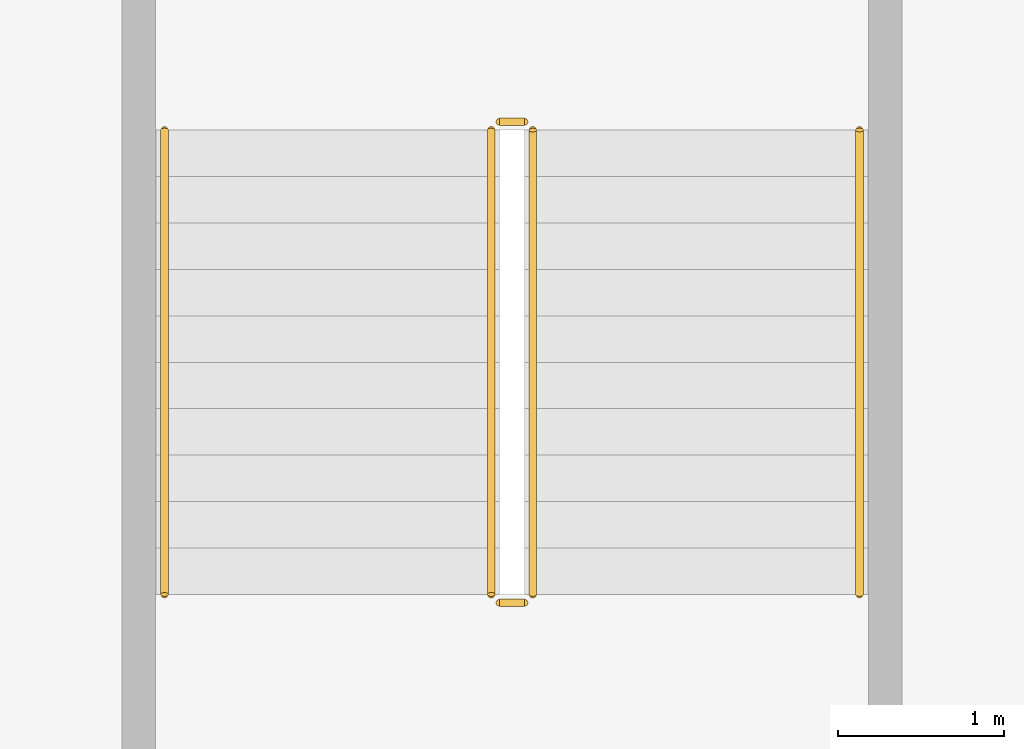
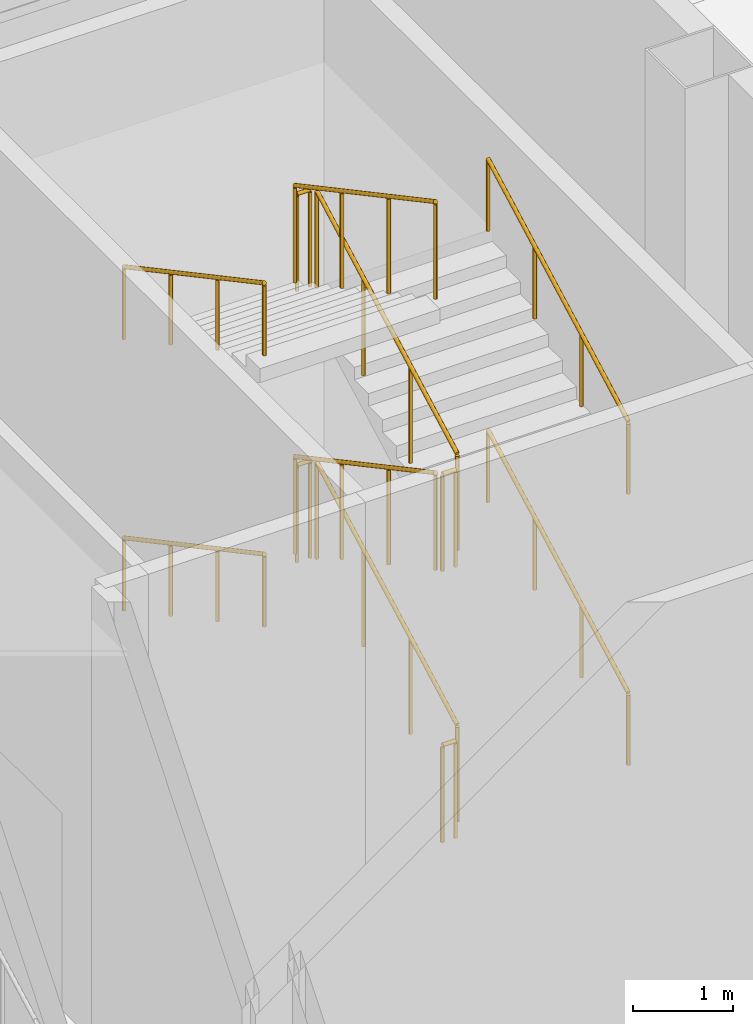
# One storey, part 37 of 38: 12 railings.
"""IFC4 building model written with IfcOpenShell, lengths in metres."""

from ifc_helpers import new_model, si_unit, direction, frame, origin, origin_2d, place, context, subcontext, project, spatial, circle, extrude, material, type_object, element, save


model = new_model("IFC4")

# Units and contexts
model_context = context("Model", 3, precision=1e-05, world=origin(), true_north=direction((0.0, 1.0)))
body_context = subcontext(model_context, "Body", "Model", "MODEL_VIEW")
ifc_project = project(units=[si_unit("LENGTHUNIT", "METRE"), si_unit("AREAUNIT", "SQUARE_METRE"), si_unit("VOLUMEUNIT", "CUBIC_METRE"), si_unit("PLANEANGLEUNIT", "RADIAN"), si_unit("MASSUNIT", "GRAM", prefix="KILO")], contexts=[model_context])

# Site, building, storey
site_placement = place(None, origin())
site = spatial("IfcSite", under=ifc_project, at=site_placement, CompositionType="ELEMENT")
building_placement = place(site_placement, origin())
building = spatial("IfcBuilding", under=site, at=building_placement, Name="Caravel Reach Hotel and Residences", CompositionType="ELEMENT")
storey_placement = place(building_placement, origin())
storey = spatial("IfcBuildingStorey", under=building, at=storey_placement, Name="L00", CompositionType="ELEMENT", Elevation=0.0)

# Railings
ifc_material_1 = material(Name="Steel balustrade with glass infill", Category="steel")
railing_type_1 = type_object("IfcRailingType", Name="Guard 1200", PredefinedType="GUARDRAIL", material=ifc_material_1)
railing_1_placement = place(storey_placement, frame((63.375, 42.68994140625, 0.14990234375)))
element("IfcRailing", 1, at=railing_1_placement, inside=storey, type_object=railing_type_1, Name="L00 ST-P6 stair guard 1", PredefinedType="GUARDRAIL", context=body_context, shape_type="SweptSolid", body=[
    extrude(circle(Radius=0.02392578125, at=origin_2d()), frame((0.0, 0.0, 1.17578125), z_axis=(0.0, 0.881483397762, 0.472215014025), x_axis=(-1.0, 0.0, 0.0)), (0.0, 0.0, 1.0), 3.176513671875),
    extrude(circle(Radius=0.02099609375, at=origin_2d()), origin(), (0.0, 0.0, 1.0), 1.15185546875),
    extrude(circle(Radius=0.02099609375, at=origin_2d()), frame((0.0, 0.933349609375, 0.5)), (0.0, 0.0, 1.0), 1.15185546875),
    extrude(circle(Radius=0.02099609375, at=origin_2d()), frame((0.0, 1.86669921875, 1.0)), (0.0, 0.0, 1.0), 1.15185546875),
    extrude(circle(Radius=0.02099609375, at=origin_2d()), frame((0.0, 2.800048828125, 1.5)), (0.0, 0.0, 1.0), 1.15185546875),
])
railing_2_placement = place(storey_placement, frame((63.324951171875, 45.5400390625, 1.64990234375)))
element("IfcRailing", 2, at=railing_2_placement, inside=storey, type_object=railing_type_1, Name="L00 ST-P6 stair guard 2", PredefinedType="GUARDRAIL", context=body_context, shape_type="SweptSolid", body=[
    extrude(circle(Radius=0.02392578125, at=origin_2d()), frame((0.0, 0.0, 1.17578125), z_axis=(-1.0, 0.0, 0.0), x_axis=(0.0, -1.0, 0.0)), (0.0, 0.0, 1.0), 0.14990234375),
    extrude(circle(Radius=0.02099609375, at=origin_2d()), origin(), (0.0, 0.0, 1.0), 1.15185546875),
    extrude(circle(Radius=0.02099609375, at=origin_2d()), frame((-0.14990234375, 0.0, 0.0)), (0.0, 0.0, 1.0), 1.15185546875),
])
railing_3_placement = place(storey_placement, frame((63.125, 45.489990234375, 1.800048828125)))
element("IfcRailing", 3, at=railing_3_placement, inside=storey, type_object=railing_type_1, Name="L00 ST-P6 stair guard 3", PredefinedType="GUARDRAIL", context=body_context, shape_type="SweptSolid", body=[
    extrude(circle(Radius=0.02392578125, at=origin_2d()), frame((0.0, 0.0, 1.17578125), z_axis=(0.0, -0.881483397762, 0.472215014025), x_axis=(1.0, 0.0, 0.0)), (0.0, 0.0, 1.0), 3.176513671875),
    extrude(circle(Radius=0.02099609375, at=origin_2d()), origin(), (0.0, 0.0, 1.0), 1.15185546875),
    extrude(circle(Radius=0.02099609375, at=origin_2d()), frame((0.0, -0.933349609375, 0.5)), (0.0, 0.0, 1.0), 1.15185546875),
    extrude(circle(Radius=0.02099609375, at=origin_2d()), frame((0.0, -1.86669921875, 1.0)), (0.0, 0.0, 1.0), 1.15185546875),
    extrude(circle(Radius=0.02099609375, at=origin_2d()), frame((0.0, -2.800048828125, 1.5)), (0.0, 0.0, 1.0), 1.15185546875),
])
railing_4_placement = place(storey_placement, frame((63.324951171875, 42.639892578125, 3.300048828125)))
element("IfcRailing", 4, at=railing_4_placement, inside=storey, type_object=railing_type_1, Name="L00 ST-P6 stair guard 4", PredefinedType="GUARDRAIL", context=body_context, shape_type="SweptSolid", body=[
    extrude(circle(Radius=0.02392578125, at=origin_2d()), frame((0.0, 0.0, 1.17578125), z_axis=(-1.0, 0.0, 0.0), x_axis=(0.0, -1.0, 0.0)), (0.0, 0.0, 1.0), 0.14990234375),
    extrude(circle(Radius=0.02099609375, at=origin_2d()), origin(), (0.0, 0.0, 1.0), 1.15185546875),
    extrude(circle(Radius=0.02099609375, at=origin_2d()), frame((-0.14990234375, 0.0, 0.0)), (0.0, 0.0, 1.0), 1.15185546875),
])
railing_5_placement = place(storey_placement, frame((63.375, 42.68994140625, 3.449951171875)))
element("IfcRailing", 5, at=railing_5_placement, inside=storey, type_object=railing_type_1, Name="L00 ST-P6 stair guard 5", PredefinedType="GUARDRAIL", context=body_context, shape_type="SweptSolid", body=[
    extrude(circle(Radius=0.02392578125, at=origin_2d()), frame((0.0, 0.0, 1.17578125), z_axis=(0.0, 0.881483397762, 0.472215014025), x_axis=(-1.0, 0.0, 0.0)), (0.0, 0.0, 1.0), 3.176513671875),
    extrude(circle(Radius=0.02099609375, at=origin_2d()), origin(), (0.0, 0.0, 1.0), 1.15185546875),
    extrude(circle(Radius=0.02099609375, at=origin_2d()), frame((0.0, 0.933349609375, 0.5)), (0.0, 0.0, 1.0), 1.15185546875),
    extrude(circle(Radius=0.02099609375, at=origin_2d()), frame((0.0, 1.86669921875, 1.0)), (0.0, 0.0, 1.0), 1.15185546875),
    extrude(circle(Radius=0.02099609375, at=origin_2d()), frame((0.0, 2.800048828125, 1.5)), (0.0, 0.0, 1.0), 1.15185546875),
])
railing_6_placement = place(storey_placement, frame((63.324951171875, 45.5400390625, 4.949951171875)))
element("IfcRailing", 6, at=railing_6_placement, inside=storey, type_object=railing_type_1, Name="L00 ST-P6 stair guard 6", PredefinedType="GUARDRAIL", context=body_context, shape_type="SweptSolid", body=[
    extrude(circle(Radius=0.02392578125, at=origin_2d()), frame((0.0, 0.0, 1.17578125), z_axis=(-1.0, 0.0, 0.0), x_axis=(0.0, -1.0, 0.0)), (0.0, 0.0, 1.0), 0.14990234375),
    extrude(circle(Radius=0.02099609375, at=origin_2d()), origin(), (0.0, 0.0, 1.0), 1.15185546875),
    extrude(circle(Radius=0.02099609375, at=origin_2d()), frame((-0.14990234375, 0.0, 0.0)), (0.0, 0.0, 1.0), 1.15185546875),
])
railing_7_placement = place(storey_placement, frame((63.125, 45.489990234375, 5.10009765625)))
element("IfcRailing", 7, at=railing_7_placement, inside=storey, type_object=railing_type_1, Name="L00 ST-P6 stair guard 7", PredefinedType="GUARDRAIL", context=body_context, shape_type="SweptSolid", body=[
    extrude(circle(Radius=0.02392578125, at=origin_2d()), frame((0.0, 0.0, 1.17578125), z_axis=(0.0, -0.881483397762, 0.472215014025), x_axis=(1.0, 0.0, 0.0)), (0.0, 0.0, 1.0), 3.176513671875),
    extrude(circle(Radius=0.02099609375, at=origin_2d()), origin(), (0.0, 0.0, 1.0), 1.15185546875),
    extrude(circle(Radius=0.02099609375, at=origin_2d()), frame((0.0, -0.933349609375, 0.5)), (0.0, 0.0, 1.0), 1.15185546875),
    extrude(circle(Radius=0.02099609375, at=origin_2d()), frame((0.0, -1.86669921875, 1.0)), (0.0, 0.0, 1.0), 1.15185546875),
    extrude(circle(Radius=0.02099609375, at=origin_2d()), frame((0.0, -2.800048828125, 1.5)), (0.0, 0.0, 1.0), 1.15185546875),
])
railing_8_placement = place(storey_placement, frame((63.324951171875, 42.639892578125, 0.0)))
element("IfcRailing", 8, at=railing_8_placement, inside=storey, type_object=railing_type_1, Name="L00 ST-P6 stair guard 8", PredefinedType="GUARDRAIL", context=body_context, shape_type="SweptSolid", body=[
    extrude(circle(Radius=0.02392578125, at=origin_2d()), frame((0.0, 0.0, 1.17578125), z_axis=(-1.0, 0.0, 0.0), x_axis=(0.0, -1.0, 0.0)), (0.0, 0.0, 1.0), 0.14990234375),
    extrude(circle(Radius=0.02099609375, at=origin_2d()), origin(), (0.0, 0.0, 1.0), 1.15185546875),
    extrude(circle(Radius=0.02099609375, at=origin_2d()), frame((-0.14990234375, 0.0, 0.0)), (0.0, 0.0, 1.0), 1.15185546875),
])
ifc_material_2 = material(Name="Stainless steel handrail", Category="steel")
railing_type_2 = type_object("IfcRailingType", Name="Handrail 900", PredefinedType="HANDRAIL", material=ifc_material_2)
railing_9_placement = place(storey_placement, frame((65.344970703125, 42.68994140625, 0.14990234375)))
element("IfcRailing", 9, at=railing_9_placement, inside=storey, type_object=railing_type_2, Name="L00 ST-P6 stair handrail 1", PredefinedType="HANDRAIL", context=body_context, shape_type="SweptSolid", body=[
    extrude(circle(Radius=0.02392578125, at=origin_2d()), frame((0.0, 0.0, 0.8759765625), z_axis=(0.0, 0.881483397762, 0.472215014025), x_axis=(-1.0, 0.0, 0.0)), (0.0, 0.0, 1.0), 3.176513671875),
    extrude(circle(Radius=0.02099609375, at=origin_2d()), origin(), (0.0, 0.0, 1.0), 0.851806640625),
    extrude(circle(Radius=0.02099609375, at=origin_2d()), frame((0.0, 0.933349609375, 0.5)), (0.0, 0.0, 1.0), 0.851806640625),
    extrude(circle(Radius=0.02099609375, at=origin_2d()), frame((0.0, 1.86669921875, 1.0)), (0.0, 0.0, 1.0), 0.851806640625),
    extrude(circle(Radius=0.02099609375, at=origin_2d()), frame((0.0, 2.800048828125, 1.5)), (0.0, 0.0, 1.0), 0.851806640625),
])
railing_10_placement = place(storey_placement, frame((61.155029296875, 45.489990234375, 1.800048828125)))
element("IfcRailing", 10, at=railing_10_placement, inside=storey, type_object=railing_type_2, Name="L00 ST-P6 stair handrail 2", PredefinedType="HANDRAIL", context=body_context, shape_type="SweptSolid", body=[
    extrude(circle(Radius=0.02392578125, at=origin_2d()), frame((0.0, 0.0, 0.8759765625), z_axis=(0.0, -0.881483397762, 0.472215014025), x_axis=(1.0, 0.0, 0.0)), (0.0, 0.0, 1.0), 3.176513671875),
    extrude(circle(Radius=0.02099609375, at=origin_2d()), origin(), (0.0, 0.0, 1.0), 0.851806640625),
    extrude(circle(Radius=0.02099609375, at=origin_2d()), frame((0.0, -0.933349609375, 0.5)), (0.0, 0.0, 1.0), 0.851806640625),
    extrude(circle(Radius=0.02099609375, at=origin_2d()), frame((0.0, -1.86669921875, 1.0)), (0.0, 0.0, 1.0), 0.851806640625),
    extrude(circle(Radius=0.02099609375, at=origin_2d()), frame((0.0, -2.800048828125, 1.5)), (0.0, 0.0, 1.0), 0.851806640625),
])
railing_11_placement = place(storey_placement, frame((65.344970703125, 42.68994140625, 3.449951171875)))
element("IfcRailing", 11, at=railing_11_placement, inside=storey, type_object=railing_type_2, Name="L00 ST-P6 stair handrail 3", PredefinedType="HANDRAIL", context=body_context, shape_type="SweptSolid", body=[
    extrude(circle(Radius=0.02392578125, at=origin_2d()), frame((0.0, 0.0, 0.8759765625), z_axis=(0.0, 0.881483397762, 0.472215014025), x_axis=(-1.0, 0.0, 0.0)), (0.0, 0.0, 1.0), 3.176513671875),
    extrude(circle(Radius=0.02099609375, at=origin_2d()), origin(), (0.0, 0.0, 1.0), 0.851806640625),
    extrude(circle(Radius=0.02099609375, at=origin_2d()), frame((0.0, 0.933349609375, 0.5)), (0.0, 0.0, 1.0), 0.851806640625),
    extrude(circle(Radius=0.02099609375, at=origin_2d()), frame((0.0, 1.86669921875, 1.0)), (0.0, 0.0, 1.0), 0.851806640625),
    extrude(circle(Radius=0.02099609375, at=origin_2d()), frame((0.0, 2.800048828125, 1.5)), (0.0, 0.0, 1.0), 0.851806640625),
])
railing_12_placement = place(storey_placement, frame((61.155029296875, 45.489990234375, 5.10009765625)))
element("IfcRailing", 12, at=railing_12_placement, inside=storey, type_object=railing_type_2, Name="L00 ST-P6 stair handrail 4", PredefinedType="HANDRAIL", context=body_context, shape_type="SweptSolid", body=[
    extrude(circle(Radius=0.02392578125, at=origin_2d()), frame((0.0, 0.0, 0.8759765625), z_axis=(0.0, -0.881483397762, 0.472215014025), x_axis=(1.0, 0.0, 0.0)), (0.0, 0.0, 1.0), 3.176513671875),
    extrude(circle(Radius=0.02099609375, at=origin_2d()), origin(), (0.0, 0.0, 1.0), 0.851806640625),
    extrude(circle(Radius=0.02099609375, at=origin_2d()), frame((0.0, -0.933349609375, 0.5)), (0.0, 0.0, 1.0), 0.851806640625),
    extrude(circle(Radius=0.02099609375, at=origin_2d()), frame((0.0, -1.86669921875, 1.0)), (0.0, 0.0, 1.0), 0.851806640625),
    extrude(circle(Radius=0.02099609375, at=origin_2d()), frame((0.0, -2.800048828125, 1.5)), (0.0, 0.0, 1.0), 0.851806640625),
])

save(model, "model.ifc")
